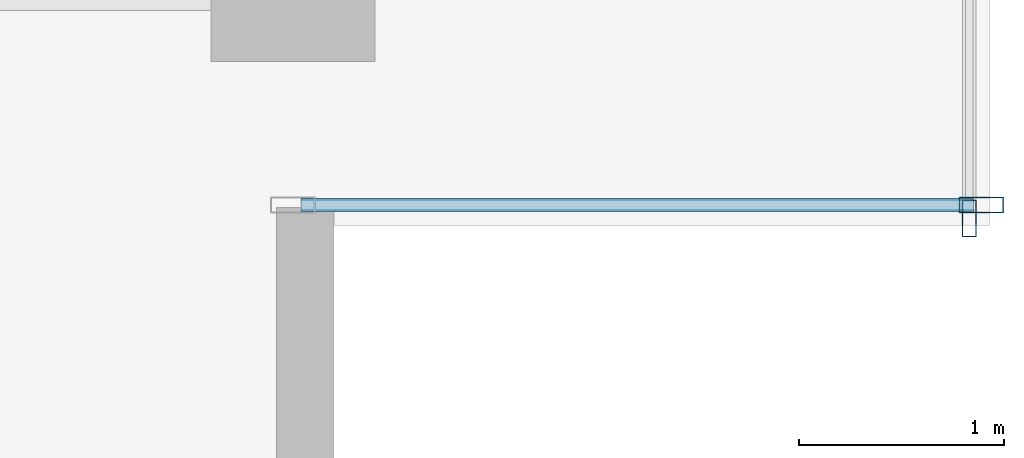
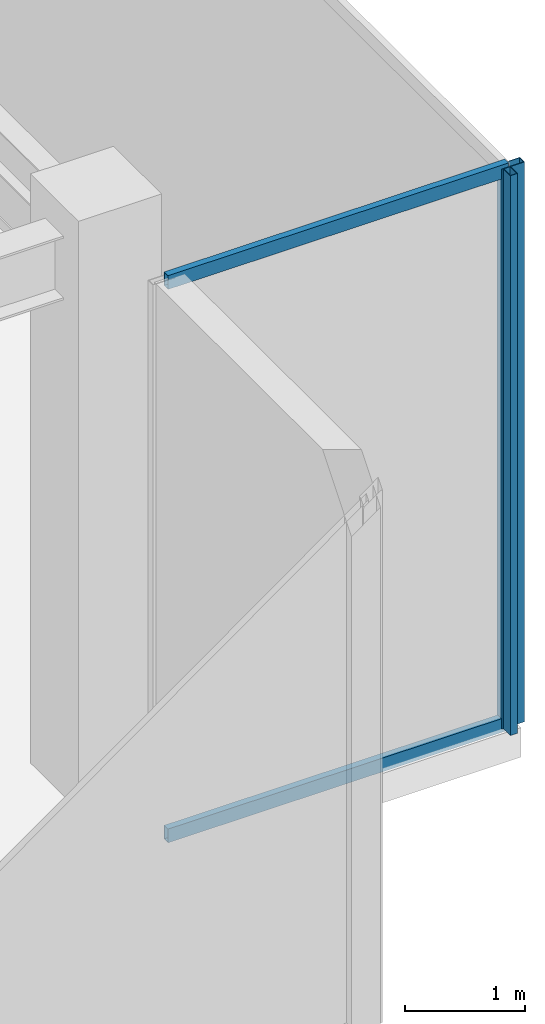
# One storey, part 19 of 30: 4 members, 2 elements without a shape of their own.
"""IFC4 building model written with IfcOpenShell, lengths in metres."""

import ifcopenshell
import ifcopenshell.guid

model = None  # the IFC model being written
_history = None  # IfcOwnerHistory: only IFC2X3 demands one
_inside = {}  # id of a spatial element -> (the spatial element, [elements in it])
_under = {}  # id of a project, library or spatial element -> (it, [spatial elements below it])
_declared = {}  # id of a project -> (the project, [libraries it declares])
_typed = {}  # id of a type object -> (the type object, [elements of that type])
_made_of = {}  # id of a material, layer set ... -> (it, [elements and type objects made of it])


def new_model(schema):
    """Start an empty IFC model of exactly this schema.

    Asked for "IFC4X3", IfcOpenShell would pick the latest addendum, in which some entities
    have other attributes; the version numbers below select the first issue.
    IFC2X3 requires an IfcOwnerHistory on every rooted entity: one is made here for all.
    """
    global model, _history
    if schema == "IFC4X3":
        model = ifcopenshell.file(schema_version=(4, 3, 0, 0))
    else:
        model = ifcopenshell.file(schema=schema)
    _inside.clear()
    _under.clear()
    _declared.clear()
    _typed.clear()
    _made_of.clear()
    _history = None
    if model.schema == "IFC2X3":
        org = make("IfcOrganization", Name="unknown")
        user = make(
            "IfcPersonAndOrganization",
            ThePerson=make("IfcPerson", FamilyName="unknown"),
            TheOrganization=org,
        )
        app = make(
            "IfcApplication",
            ApplicationDeveloper=org,
            Version="unknown",
            ApplicationFullName="unknown",
            ApplicationIdentifier="unknown",
        )
        _history = make(
            "IfcOwnerHistory",
            OwningUser=user,
            OwningApplication=app,
            ChangeAction="ADDED",
            CreationDate=0,
        )
    return model


def make(cls, **values):
    """One entity of the class cls with the attributes given. An attribute that is None is left unset."""
    return model.create_entity(
        cls, **{name: value for name, value in values.items() if value is not None}
    )


def rooted(cls, **values):
    """An entity with a GlobalId (a new one), such as an element, a storey or a relation."""
    return make(cls, GlobalId=ifcopenshell.guid.new(), OwnerHistory=_history, **values)


def si_unit(unit_type, name, prefix=None):
    """IfcSIUnit, for example si_unit("LENGTHUNIT", "METRE", prefix="MILLI")."""
    return make("IfcSIUnit", UnitType=unit_type, Prefix=prefix, Name=name)


def assignment(units):
    """IfcUnitAssignment: the units of a project."""
    return None if units is None else make("IfcUnitAssignment", Units=units)


def point(xyz):
    """IfcCartesianPoint."""
    return None if xyz is None else make("IfcCartesianPoint", Coordinates=xyz)


def direction(xyz):
    """IfcDirection."""
    return None if xyz is None else make("IfcDirection", DirectionRatios=xyz)


def frame(location, z_axis=None, x_axis=None):
    """IfcAxis2Placement3D, a coordinate frame: its origin and axes. An axis left out is left unset."""
    return make(
        "IfcAxis2Placement3D",
        Location=point(location),
        Axis=direction(z_axis),
        RefDirection=direction(x_axis),
    )


def frame_2d(location, x_axis=None):
    """IfcAxis2Placement2D, a coordinate frame in the plane: its origin and x axis."""
    return make(
        "IfcAxis2Placement2D", Location=point(location), RefDirection=direction(x_axis)
    )


def origin():
    """The frame at (0, 0, 0) with its axes left unset."""
    return frame((0.0, 0.0, 0.0))


def origin_2d():
    """The frame at (0, 0) in the plane with its x axis left unset."""
    return frame_2d((0.0, 0.0))


def place(relative_to, where):
    """IfcLocalPlacement: puts the frame where relative to a parent placement (None: the world)."""
    return make(
        "IfcLocalPlacement", PlacementRelTo=relative_to, RelativePlacement=where
    )


def context(
    kind, dimensions, precision=None, world=None, true_north=None, identifier=None
):
    """IfcGeometricRepresentationContext, for example the 3D "Model" context."""
    return make(
        "IfcGeometricRepresentationContext",
        ContextIdentifier=identifier,
        ContextType=kind,
        CoordinateSpaceDimension=dimensions,
        Precision=precision,
        WorldCoordinateSystem=world,
        TrueNorth=true_north,
    )


def subcontext(parent, identifier, kind, view, scale=None):
    """IfcGeometricRepresentationSubContext, for example "Body" below "Model"."""
    return make(
        "IfcGeometricRepresentationSubContext",
        ContextIdentifier=identifier,
        ContextType=kind,
        ParentContext=parent,
        TargetScale=scale,
        TargetView=view,
    )


def project(units=None, contexts=None):
    """IfcProject with its units and contexts."""
    return rooted(
        "IfcProject",
        Name="project",
        RepresentationContexts=contexts,
        UnitsInContext=assignment(units),
    )


def spatial(cls, under=None, at=None, **own):
    """A site, building, storey or space (cls), placed at a placement, below another one or the project."""
    s = rooted(cls, ObjectPlacement=at, **own)
    if under is not None:
        _under.setdefault(under.id(), (under, []))[1].append(s)
    return s


def profile(cls, at=None, kind="AREA", **sizes):
    """A parametric profile (cls). Its sizes go by their IFC names, for example OverallWidth=200.0."""
    return make(cls, ProfileType=kind, Position=at, **sizes)


def hollow_rectangle(**sizes):
    """IfcRectangleHollowProfileDef."""
    return profile("IfcRectangleHollowProfileDef", **sizes)


def extrude(swept, where, along, depth):
    """IfcExtrudedAreaSolid: the profile swept, set in the frame where, extruded along a direction by depth."""
    return make(
        "IfcExtrudedAreaSolid",
        SweptArea=swept,
        Position=where,
        ExtrudedDirection=direction(along),
        Depth=depth,
    )


def shape(context_of_items, identifier, shape_type, items):
    """IfcShapeRepresentation: the items that make up one representation, for example the "Body"."""
    return make(
        "IfcShapeRepresentation",
        ContextOfItems=context_of_items,
        RepresentationIdentifier=identifier,
        RepresentationType=shape_type,
        Items=items,
    )


def source(mapping_origin, context_of_items, identifier, shape_type, items):
    """IfcRepresentationMap: a shape defined once, which mapped items show again and again."""
    return make(
        "IfcRepresentationMap",
        MappingOrigin=mapping_origin,
        MappedRepresentation=shape(context_of_items, identifier, shape_type, items),
    )


def transform(
    local_origin,
    x_axis=None,
    y_axis=None,
    z_axis=None,
    scale=None,
    scale2=None,
    scale3=None,
    uniform=True,
):
    """IfcCartesianTransformationOperator3D, or its non-uniform kind. x_axis, y_axis, z_axis: its Axis1, 2, 3."""
    if uniform:
        return make(
            "IfcCartesianTransformationOperator3D",
            Axis1=direction(x_axis),
            Axis2=direction(y_axis),
            LocalOrigin=point(local_origin),
            Scale=scale,
            Axis3=direction(z_axis),
        )
    return make(
        "IfcCartesianTransformationOperator3DnonUniform",
        Axis1=direction(x_axis),
        Axis2=direction(y_axis),
        LocalOrigin=point(local_origin),
        Scale=scale,
        Axis3=direction(z_axis),
        Scale2=scale2,
        Scale3=scale3,
    )


def mapped(mapping_source, mapping_target):
    """IfcMappedItem: shows the shape of a source again, moved by a transform."""
    return make(
        "IfcMappedItem", MappingSource=mapping_source, MappingTarget=mapping_target
    )


def material(Name=None, Category=None):
    """IfcMaterial."""
    return make("IfcMaterial", Name=Name, Category=Category)


def layer(
    of_material, thickness, ventilated=None, Name=None, Category=None, Priority=None
):
    """IfcMaterialLayer: one layer of a wall or slab, of a material (None: an air gap)."""
    return make(
        "IfcMaterialLayer",
        Material=of_material,
        LayerThickness=thickness,
        IsVentilated=ventilated,
        Name=Name,
        Category=Category,
        Priority=Priority,
    )


def layer_set(layers, Name=None):
    """IfcMaterialLayerSet."""
    return make("IfcMaterialLayerSet", MaterialLayers=layers, LayerSetName=Name)


def material_profile(
    of_material, cross_section, Name=None, Category=None, Priority=None
):
    """IfcMaterialProfile: a cross section and its material."""
    return make(
        "IfcMaterialProfile",
        Name=Name,
        Material=of_material,
        Profile=cross_section,
        Priority=Priority,
        Category=Category,
    )


def profile_set(profiles, Name=None, composite=None):
    """IfcMaterialProfileSet."""
    return make(
        "IfcMaterialProfileSet",
        Name=Name,
        MaterialProfiles=profiles,
        CompositeProfile=composite,
    )


def made_of(thing, what):
    """Note that an element or type object is made of a material, layer set ...; save() writes the relation."""
    if what is not None:
        _made_of.setdefault(what.id(), (what, []))[1].append(thing)
    return thing


def type_object(cls, material=None, **own):
    """A type object (cls), such as IfcWallType, which elements share."""
    return made_of(rooted(cls, **own), material)


def type_shapes(of_type, sources):
    """Give a type object the sources (RepresentationMaps) that its elements show as mapped items."""
    of_type.RepresentationMaps = sources


def element(
    cls,
    number,
    at=None,
    inside=None,
    cuts=None,
    type_object=None,
    material=None,
    context=None,
    identifier="Body",
    shape_type=None,
    held_by="IfcProductDefinitionShape",
    body=None,
    shapes=None,
    **own,
):
    """One element of the class cls, such as IfcWall. Its Tag is "e" and its number.

    at: its placement. inside: the storey or other place that contains it. cuts: it is an
    opening in that element (IfcRelVoidsElement). A single representation is given by context,
    identifier, shape_type and body (its items); several are given by shapes. held_by: the class
    of the entity that holds the representations. save() writes the other relations.
    """
    e = rooted(cls, Tag="e%d" % number, ObjectPlacement=at, **own)
    if body is not None:
        shapes = [shape(context, identifier, shape_type, body)]
    if shapes is not None:
        e.Representation = make(held_by, Representations=shapes)
    if inside is not None:
        _inside.setdefault(inside.id(), (inside, []))[1].append(e)
    if cuts is not None:
        rooted(
            "IfcRelVoidsElement", RelatingBuildingElement=cuts, RelatedOpeningElement=e
        )
    if type_object is not None:
        _typed.setdefault(type_object.id(), (type_object, []))[1].append(e)
    return made_of(e, material)


def aggregate(whole, parts):
    """IfcRelAggregates: a whole, such as a stair, and the parts it consists of."""
    return rooted("IfcRelAggregates", RelatingObject=whole, RelatedObjects=parts)


def save(model, path):
    """Write the relations noted so far, then the file.

    IfcRelAggregates (storeys below a building ...), IfcRelContainedInSpatialStructure (elements
    in a storey), IfcRelDefinesByType, IfcRelAssociatesMaterial and IfcRelDeclares: one each for
    every whole, place, type object, material and project.
    """
    for whole, parts in _under.values():
        aggregate(whole, parts)
    for where, things in _inside.values():
        rooted(
            "IfcRelContainedInSpatialStructure",
            RelatedElements=things,
            RelatingStructure=where,
        )
    for kind, things in _typed.values():
        rooted("IfcRelDefinesByType", RelatedObjects=things, RelatingType=kind)
    for what, things in _made_of.values():
        rooted("IfcRelAssociatesMaterial", RelatedObjects=things, RelatingMaterial=what)
    for by, libraries in _declared.values():
        rooted("IfcRelDeclares", RelatingContext=by, RelatedDefinitions=libraries)
    model.write(path)


model = new_model("IFC4")

# Units and contexts
model_context = context("Model", 3, precision=1e-05, world=origin(), true_north=direction((0.0, 1.0)))
body_context = subcontext(model_context, "Body", "Model", "MODEL_VIEW")
ifc_project = project(units=[si_unit("LENGTHUNIT", "METRE"), si_unit("AREAUNIT", "SQUARE_METRE"), si_unit("VOLUMEUNIT", "CUBIC_METRE"), si_unit("PLANEANGLEUNIT", "RADIAN"), si_unit("MASSUNIT", "GRAM", prefix="KILO")], contexts=[model_context])

# Site, building, storey
site_placement = place(None, origin())
site = spatial("IfcSite", under=ifc_project, at=site_placement, CompositionType="ELEMENT")
building_placement = place(site_placement, origin())
building = spatial("IfcBuilding", under=site, at=building_placement, Name="Haelvirn Gate Laboratories", CompositionType="ELEMENT")
storey_placement = place(building_placement, frame((0.0, 0.0, 291.60009765625)))
storey = spatial("IfcBuildingStorey", under=building, at=storey_placement, Name="L70", CompositionType="ELEMENT", Elevation=291.60009765625)

# Curtain wall, members
ifc_material_1 = material(Name="Anodised bronze unitised aluminium & triple low-E glass", Category="aluminium")
ifc_layer_1 = layer(ifc_material_1, 0.181884765625, Name="CW-SYS-5")
ifc_layer_set_1 = layer_set([ifc_layer_1], Name="Anodised bronze unitised aluminium & triple low-E glass")
curtain_wall_type_1 = type_object("IfcCurtainWallType", Name="CW-SYS-5", PredefinedType="NOTDEFINED", material=ifc_layer_set_1)
curtain_wall_1_placement = place(storey_placement, origin())
curtain_wall_1 = element("IfcCurtainWall", 1, at=curtain_wall_1_placement, inside=storey, type_object=curtain_wall_type_1, Name="L70 Unitised Curtain Wall CW-L70-P1-E02-1", PredefinedType="NOTDEFINED")
ifc_material_2 = material(Name="Extruded aluminium 6063-T6 (anodised bronze)", Category="aluminium")
ifc_material_profile_1 = material_profile(ifc_material_2, hollow_rectangle(XDim=0.06494140625, YDim=0.139892578125, WallThickness=0.00390625, at=origin_2d()), Name="CWT-140x65x4")
ifc_profile_set_1 = profile_set([ifc_material_profile_1], Name="Extruded aluminium 6063-T6 (anodised bronze)")
member_type_1 = type_object("IfcMemberType", Name="CWT-T140", PredefinedType="USERDEFINED", material=ifc_profile_set_1)
shared_shape_1 = source(origin(), body_context, "Body", "SweptSolid", [
    extrude(hollow_rectangle(XDim=0.06494140625, YDim=0.139892578125, WallThickness=0.00390625, at=origin_2d()), origin(), (0.0, 0.0, 1.0), 3.280029296875),
])
type_shapes(member_type_1, [shared_shape_1])
member_1_placement = place(storey_placement, frame((67.43994140625, 5.89990234375, 0.032470703125), z_axis=(1.0, 0.0, 0.0), x_axis=(0.0, 1.0, 0.0)))
member_1 = element("IfcMember", 2, at=member_1_placement, type_object=member_type_1, Name="CW5 transom 1.1", ObjectType="TRANSOM", PredefinedType="USERDEFINED", context=body_context, shape_type="MappedRepresentation", body=[
    mapped(shared_shape_1, transform((0.0, 0.0, 0.0), scale=1.0)),
])
member_2_placement = place(storey_placement, frame((67.43994140625, 5.89990234375, 5.66748046875), z_axis=(1.0, 0.0, 0.0), x_axis=(0.0, 1.0, 0.0)))
member_2 = element("IfcMember", 3, at=member_2_placement, type_object=member_type_1, Name="CW5 transom 1.2", ObjectType="TRANSOM", PredefinedType="USERDEFINED", context=body_context, shape_type="MappedRepresentation", body=[
    mapped(shared_shape_1, transform((0.0, 0.0, 0.0), scale=1.0)),
])

# Curtain wall, member
ifc_layer_2 = layer(ifc_material_1, 0.176025390625, Name="CW-SYS-4")
ifc_layer_set_2 = layer_set([ifc_layer_2], Name="Anodised bronze unitised aluminium & triple low-E glass")
curtain_wall_type_2 = type_object("IfcCurtainWallType", Name="CW-SYS-4", PredefinedType="NOTDEFINED", material=ifc_layer_set_2)
curtain_wall_2_placement = place(storey_placement, origin())
curtain_wall_2 = element("IfcCurtainWall", 4, at=curtain_wall_2_placement, inside=storey, type_object=curtain_wall_type_2, Name="L70 Unitised Curtain Wall CW-L70-P1-E03", PredefinedType="NOTDEFINED")
ifc_material_profile_2 = material_profile(ifc_material_2, hollow_rectangle(XDim=0.070068359375, YDim=0.179931640625, WallThickness=0.0048828125, at=origin_2d()), Name="CWM-180x70x5")
ifc_profile_set_2 = profile_set([ifc_material_profile_2], Name="Extruded aluminium 6063-T6 (anodised bronze)")
member_type_2 = type_object("IfcMemberType", Name="CWM-T180", PredefinedType="MULLION", material=ifc_profile_set_2)
shared_shape_2 = source(origin(), body_context, "Body", "SweptSolid", [
    extrude(hollow_rectangle(XDim=0.070068359375, YDim=0.179931640625, WallThickness=0.0048828125, at=origin_2d()), origin(), (0.0, 0.0, 1.0), 5.699951171875),
])
type_shapes(member_type_2, [shared_shape_2])
member_3_placement = place(storey_placement, frame((70.699951171875, 5.8349609375, 0.0), z_axis=(0.0, 0.0, 1.0), x_axis=(-1.0, 0.0, 0.0)))
member_3 = element("IfcMember", 5, at=member_3_placement, type_object=member_type_2, Name="CW4 mullion 1", PredefinedType="MULLION", context=body_context, shape_type="MappedRepresentation", body=[
    mapped(shared_shape_2, transform((0.0, 0.0, 0.0), scale=1.0)),
])
aggregate(curtain_wall_2, [member_3])

# Member
ifc_material_profile_3 = material_profile(ifc_material_2, hollow_rectangle(XDim=0.080078125, YDim=0.219970703125, WallThickness=0.006103515625, at=origin_2d()), Name="CWM-220x80x6")
ifc_profile_set_3 = profile_set([ifc_material_profile_3], Name="Extruded aluminium 6063-T6 (anodised bronze)")
member_type_3 = type_object("IfcMemberType", Name="CWM-T220", PredefinedType="MULLION", material=ifc_profile_set_3)
shared_shape_3 = source(origin(), body_context, "Body", "SweptSolid", [
    extrude(hollow_rectangle(XDim=0.080078125, YDim=0.219970703125, WallThickness=0.006103515625, at=origin_2d()), origin(), (0.0, 0.0, 1.0), 5.699951171875),
])
type_shapes(member_type_3, [shared_shape_3])
member_4_placement = place(storey_placement, frame((70.760009765625, 5.89990234375, 0.0), z_axis=(0.0, 0.0, 1.0), x_axis=(0.0, 1.0, 0.0)))
member_4 = element("IfcMember", 6, at=member_4_placement, type_object=member_type_3, Name="CW5 mullion 2", PredefinedType="MULLION", context=body_context, shape_type="MappedRepresentation", body=[
    mapped(shared_shape_3, transform((0.0, 0.0, 0.0), scale=1.0)),
])

aggregate(curtain_wall_1, [member_4, member_1, member_2])

save(model, "model.ifc")
